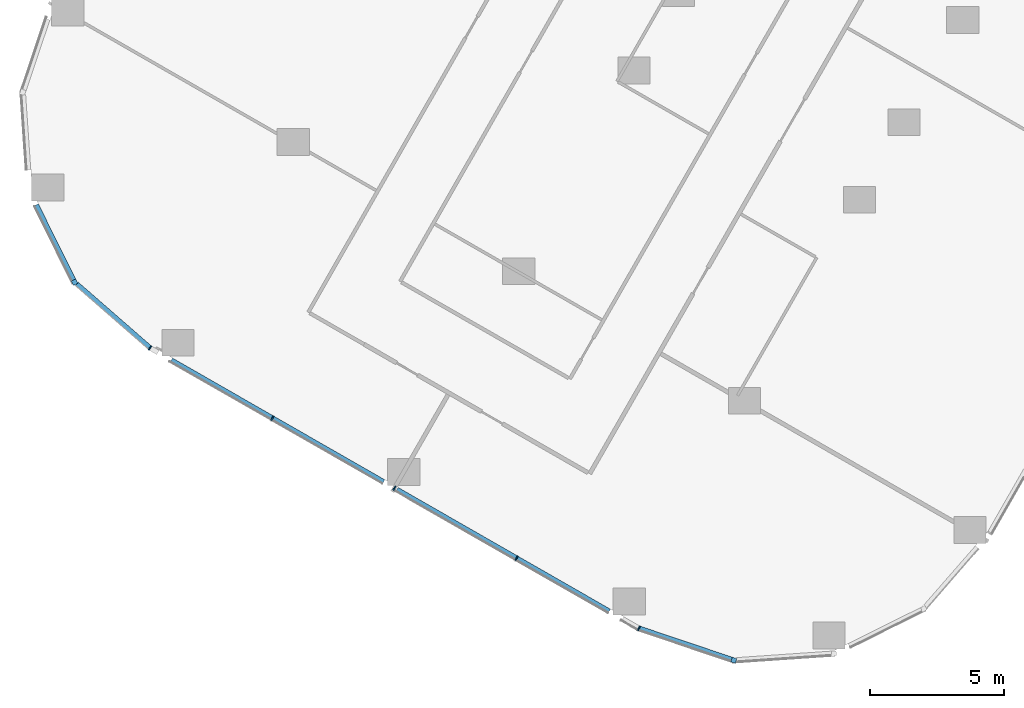
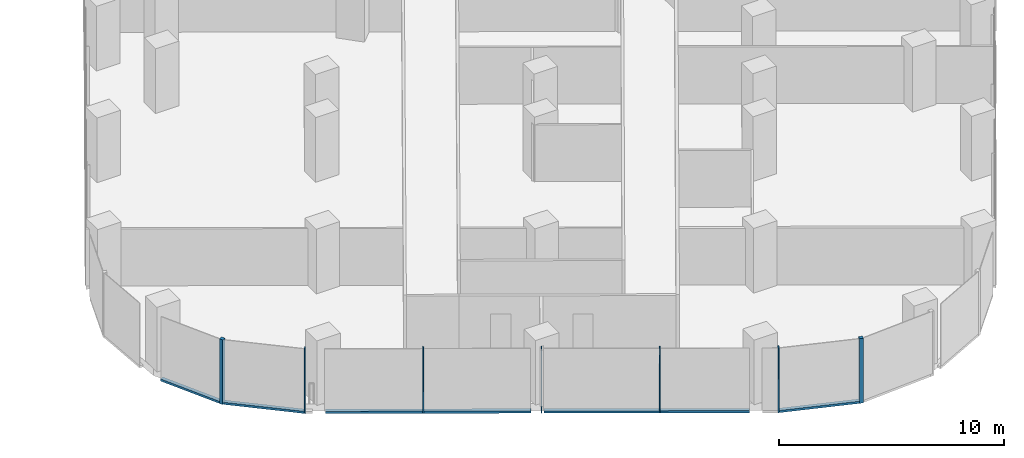
# One storey, part 2 of 34: 12 members, 4 elements without a shape of their own.
"""IFC4 building model written with IfcOpenShell, lengths in metres."""

from ifc_helpers import new_model, si_unit, direction, frame, origin, origin_2d, place, context, subcontext, project, spatial, rectangle, extrude, material, material_profile, profile_set, type_object, element, aggregate, save


model = new_model("IFC4")

# Units and contexts
model_context = context("Model", 3, precision=1e-05, world=origin(), true_north=direction((0.0, 1.0)))
body_context = subcontext(model_context, "Body", "Model", "MODEL_VIEW")
ifc_project = project(units=[si_unit("LENGTHUNIT", "METRE"), si_unit("AREAUNIT", "SQUARE_METRE"), si_unit("VOLUMEUNIT", "CUBIC_METRE"), si_unit("PLANEANGLEUNIT", "RADIAN"), si_unit("MASSUNIT", "GRAM", prefix="KILO")], contexts=[model_context])

# Site, building, storey
site_placement = place(None, origin())
site = spatial("IfcSite", under=ifc_project, at=site_placement, CompositionType="ELEMENT")
building_placement = place(site_placement, origin())
building = spatial("IfcBuilding", under=site, at=building_placement, Name="Orlundy Tower", CompositionType="ELEMENT")
storey_placement = place(building_placement, frame((0.0, 0.0, 109.199951171875)))
storey = spatial("IfcBuildingStorey", under=building, at=storey_placement, Name="L27", CompositionType="ELEMENT", Elevation=109.199951171875)

# Curtain wall, member
ifc_material_1 = material(Name="Aluminium bronze anodised", Category="aluminium")
curtain_wall_type = type_object("IfcCurtainWallType", Name="CW1 wall", PredefinedType="NOTDEFINED", material=ifc_material_1)
curtain_wall_1_placement = place(storey_placement, origin())
curtain_wall_1 = element("IfcCurtainWall", 1, at=curtain_wall_1_placement, inside=storey, type_object=curtain_wall_type, Name="CW1 run 06", PredefinedType="NOTDEFINED")
ifc_material_2 = material(Name="Aluminium bronze anodised", Category="aluminium")
ifc_material_profile_1 = material_profile(ifc_material_2, rectangle(XDim=0.179931640625, YDim=0.179931640625, at=origin_2d()), Name="CW1 corner post 180x180")
ifc_profile_set_1 = profile_set([ifc_material_profile_1], Name="Aluminium bronze anodised")
member_type_1 = type_object("IfcMemberType", Name="CW1 corner post 180x180", PredefinedType="MULLION", material=ifc_profile_set_1)
member_1_placement = place(storey_placement, frame((-16.98974609375, -58.111083984375, -0.39990234375), z_axis=(0.0, 0.0, 1.0), x_axis=(-0.318897481446, -0.947789215135, 0.0)))
member_1 = element("IfcMember", 2, at=member_1_placement, type_object=member_type_1, Name="CW1 mullion 17", PredefinedType="MULLION", context=body_context, shape_type="SweptSolid", body=[
    extrude(rectangle(XDim=0.179931640625, YDim=0.179931640625, at=origin_2d()), origin(), (0.0, 0.0, 1.0), 3.5),
])

curtain_wall_2_placement = place(storey_placement, origin())
curtain_wall_2 = element("IfcCurtainWall", 3, at=curtain_wall_2_placement, inside=storey, type_object=curtain_wall_type, Name="CW1 run 09", PredefinedType="NOTDEFINED")
member_2_placement = place(storey_placement, frame((-41.57470703125, -44.010986328125, -0.39990234375), z_axis=(0.0, 0.0, 1.0), x_axis=(-0.895450062234, -0.445161977313, 0.0)))
member_2 = element("IfcMember", 4, at=member_2_placement, type_object=member_type_1, Name="CW1 mullion 23", PredefinedType="MULLION", context=body_context, shape_type="SweptSolid", body=[
    extrude(rectangle(XDim=0.179931640625, YDim=0.179931640625, at=origin_2d()), origin(), (0.0, 0.0, 1.0), 3.5),
])

# Curtain wall, members
curtain_wall_3_placement = place(storey_placement, origin())
curtain_wall_3 = element("IfcCurtainWall", 5, at=curtain_wall_3_placement, inside=storey, type_object=curtain_wall_type, Name="CW1 run 07", PredefinedType="NOTDEFINED")
ifc_material_3 = material(Name="Aluminium bronze anodised", Category="aluminium")
ifc_material_profile_2 = material_profile(ifc_material_3, rectangle(XDim=0.179931640625, YDim=0.050048828125, at=origin_2d()), Name="CW1 mullion 50x180")
ifc_profile_set_2 = profile_set([ifc_material_profile_2], Name="Aluminium bronze anodised")
member_type_2 = type_object("IfcMemberType", Name="CW1 mullion 50x180", PredefinedType="MULLION", material=ifc_profile_set_2)
member_3_placement = place(storey_placement, frame((-20.528076171875, -56.92041015625, -0.39990234375), z_axis=(0.0, 0.0, 1.0), x_axis=(-0.410157590109, -0.912014666152, 0.0)))
member_3 = element("IfcMember", 6, at=member_3_placement, type_object=member_type_2, Name="CW1 mullion 18", PredefinedType="MULLION", context=body_context, shape_type="SweptSolid", body=[
    extrude(rectangle(XDim=0.179931640625, YDim=0.050048828125, at=origin_2d()), origin(), (0.0, 0.0, 1.0), 3.5),
])
member_4_placement = place(storey_placement, frame((-25.090087890625, -54.304443359375, -0.39990234375), z_axis=(0.0, 0.0, 1.0), x_axis=(-0.497476812036, -0.867477274334, 0.0)))
member_4 = element("IfcMember", 7, at=member_4_placement, type_object=member_type_2, Name="CW1 mullion 19", PredefinedType="MULLION", context=body_context, shape_type="SweptSolid", body=[
    extrude(rectangle(XDim=0.179931640625, YDim=0.050048828125, at=origin_2d()), origin(), (0.0, 0.0, 1.0), 3.5),
])
member_5_placement = place(storey_placement, frame((-29.644287109375, -51.692626953125, -0.39990234375), z_axis=(0.0, 0.0, 1.0), x_axis=(-0.497476812036, -0.867477274334, 0.0)))
member_5 = element("IfcMember", 8, at=member_5_placement, type_object=member_type_2, Name="CW1 mullion 20", PredefinedType="MULLION", context=body_context, shape_type="SweptSolid", body=[
    extrude(rectangle(XDim=0.179931640625, YDim=0.050048828125, at=origin_2d()), origin(), (0.0, 0.0, 1.0), 3.5),
])
member_6_placement = place(storey_placement, frame((-34.198486328125, -49.080810546875, -0.39990234375), z_axis=(0.0, 0.0, 1.0), x_axis=(-0.497476812036, -0.867477274334, 0.0)))
member_6 = element("IfcMember", 9, at=member_6_placement, type_object=member_type_2, Name="CW1 mullion 21", PredefinedType="MULLION", context=body_context, shape_type="SweptSolid", body=[
    extrude(rectangle(XDim=0.179931640625, YDim=0.050048828125, at=origin_2d()), origin(), (0.0, 0.0, 1.0), 3.5),
])

# Curtain wall, member
curtain_wall_4_placement = place(storey_placement, origin())
curtain_wall_4 = element("IfcCurtainWall", 10, at=curtain_wall_4_placement, inside=storey, type_object=curtain_wall_type, Name="CW1 run 08", PredefinedType="NOTDEFINED")
member_7_placement = place(storey_placement, frame((-38.760498046875, -46.464599609375, -0.39990234375), z_axis=(0.0, 0.0, 1.0), x_axis=(-0.580115605379, -0.814534151768, 0.0)))
member_7 = element("IfcMember", 11, at=member_7_placement, type_object=member_type_2, Name="CW1 mullion 22", PredefinedType="MULLION", context=body_context, shape_type="SweptSolid", body=[
    extrude(rectangle(XDim=0.179931640625, YDim=0.050048828125, at=origin_2d()), origin(), (0.0, 0.0, 1.0), 3.5),
])

# Member
ifc_material_4 = material(Name="Aluminium bronze anodised", Category="aluminium")
ifc_material_profile_3 = material_profile(ifc_material_4, rectangle(XDim=0.179931640625, YDim=0.1201171875, at=origin_2d()), Name="CW1 transom 180x120")
ifc_profile_set_3 = profile_set([ifc_material_profile_3], Name="Aluminium bronze anodised")
member_type_3 = type_object("IfcMemberType", Name="CW1 transom 180x120", PredefinedType="USERDEFINED", material=ifc_profile_set_3)
member_8_placement = place(storey_placement, frame((-17.074951171875, -58.082275390625, -0.33984375), z_axis=(-0.947795693526, 0.318878226497, 0.0), x_axis=(-0.318878226497, -0.947795693526, 0.0)))
member_8 = element("IfcMember", 12, at=member_8_placement, type_object=member_type_3, Name="CW1 transom", ObjectType="TRANSOM", PredefinedType="USERDEFINED", context=body_context, shape_type="SweptSolid", body=[
    extrude(rectangle(XDim=0.179931640625, YDim=0.1201171875, at=origin_2d()), origin(), (0.0, 0.0, 1.0), 3.618408203125),
])

aggregate(curtain_wall_1, [member_1, member_8])

member_9_placement = place(storey_placement, frame((-21.636962890625, -56.28466796875, -0.33984375), z_axis=(-0.867470097541, 0.49748932639, 0.0), x_axis=(-0.49748932639, -0.867470097541, 0.0)))
member_9 = element("IfcMember", 13, at=member_9_placement, type_object=member_type_3, Name="CW1 transom", ObjectType="TRANSOM", PredefinedType="USERDEFINED", context=body_context, shape_type="SweptSolid", body=[
    extrude(rectangle(XDim=0.179931640625, YDim=0.1201171875, at=origin_2d()), origin(), (0.0, 0.0, 1.0), 9.12744140625),
])

member_10_placement = place(storey_placement, frame((-30.051025390625, -51.459228515625, -0.33984375), z_axis=(-0.867479944708, 0.497472155532, 0.0), x_axis=(-0.497472155532, -0.867479944708, 0.0)))
member_10 = element("IfcMember", 14, at=member_10_placement, type_object=member_type_3, Name="CW1 transom", ObjectType="TRANSOM", PredefinedType="USERDEFINED", context=body_context, shape_type="SweptSolid", body=[
    extrude(rectangle(XDim=0.179931640625, YDim=0.1201171875, at=origin_2d()), origin(), (0.0, 0.0, 1.0), 9.126708984375),
])

aggregate(curtain_wall_3, [member_3, member_4, member_5, member_6, member_9, member_10])

member_11_placement = place(storey_placement, frame((-38.779296875, -46.4482421875, -0.33984375), z_axis=(-0.753760708351, 0.657148989611, 0.0), x_axis=(-0.657148989611, -0.753760708351, 0.0)))
member_11 = element("IfcMember", 15, at=member_11_placement, type_object=member_type_3, Name="CW1 transom", ObjectType="TRANSOM", PredefinedType="USERDEFINED", context=body_context, shape_type="SweptSolid", body=[
    extrude(rectangle(XDim=0.179931640625, YDim=0.1201171875, at=origin_2d()), origin(), (0.0, 0.0, 1.0), 3.611083984375),
])

aggregate(curtain_wall_4, [member_7, member_11])

member_12_placement = place(storey_placement, frame((-41.61474609375, -43.930419921875, -0.33984375), z_axis=(-0.445120991027, 0.895470436892, 0.0), x_axis=(-0.895470436892, -0.445120991027, 0.0)))
member_12 = element("IfcMember", 16, at=member_12_placement, type_object=member_type_3, Name="CW1 transom", ObjectType="TRANSOM", PredefinedType="USERDEFINED", context=body_context, shape_type="SweptSolid", body=[
    extrude(rectangle(XDim=0.179931640625, YDim=0.1201171875, at=origin_2d()), origin(), (0.0, 0.0, 1.0), 3.12841796875),
])

aggregate(curtain_wall_2, [member_2, member_12])

save(model, "model.ifc")
